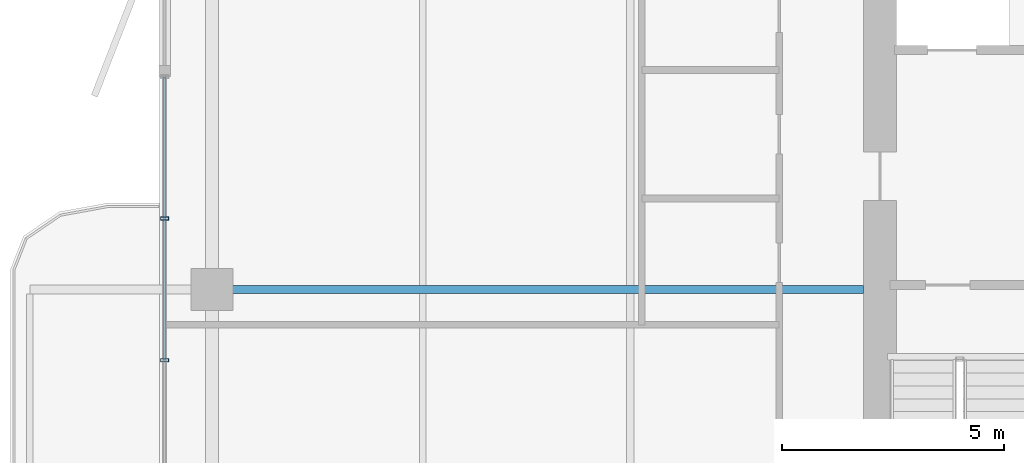
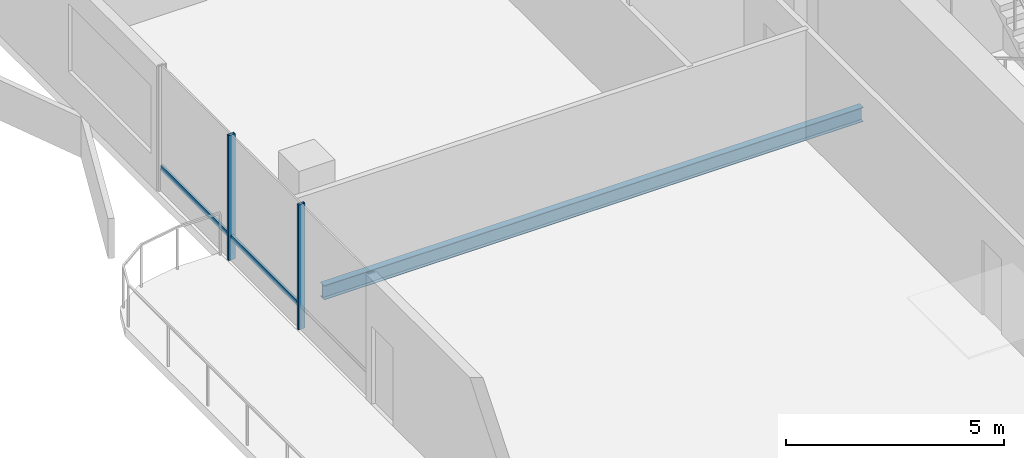
# One storey, part 6 of 24: 4 members, 1 beam, 1 element without a shape of its own.
"""IFC4 building model written with IfcOpenShell, lengths in metres."""

from ifc_helpers import new_model, si_unit, direction, frame, origin, origin_2d, place, context, subcontext, project, spatial, hollow_rectangle, i_section, extrude, material, layer, layer_set, material_profile, profile_set, type_object, element, aggregate, save


model = new_model("IFC4")

# Units and contexts
model_context = context("Model", 3, precision=1e-05, world=origin(), true_north=direction((0.0, 1.0)))
body_context = subcontext(model_context, "Body", "Model", "MODEL_VIEW")
ifc_project = project(units=[si_unit("LENGTHUNIT", "METRE"), si_unit("AREAUNIT", "SQUARE_METRE"), si_unit("VOLUMEUNIT", "CUBIC_METRE"), si_unit("PLANEANGLEUNIT", "RADIAN"), si_unit("MASSUNIT", "GRAM", prefix="KILO")], contexts=[model_context])

# Site, building, storey
site_placement = place(None, origin())
site = spatial("IfcSite", under=ifc_project, at=site_placement, CompositionType="ELEMENT")
building_placement = place(site_placement, origin())
building = spatial("IfcBuilding", under=site, at=building_placement, Name="Belovzor Exchange Tower", CompositionType="ELEMENT")
storey_placement = place(building_placement, frame((0.0, 0.0, 261.60009765625)))
storey = spatial("IfcBuildingStorey", under=building, at=storey_placement, Name="L65", CompositionType="ELEMENT", Elevation=261.60009765625)

# Curtain wall, members
ifc_material_1 = material(Name="Anodised Aluminium Framing", Category="aluminium")
ifc_layer = layer(ifc_material_1, 0.179931640625)
ifc_layer_set = layer_set([ifc_layer], Name="Anodised Aluminium Framing")
curtain_wall_type = type_object("IfcCurtainWallType", Name="Recessed Loggia Low-Iron Triple-Glazed Curtain Wall", PredefinedType="NOTDEFINED", material=ifc_layer_set)
curtain_wall_placement = place(storey_placement, origin())
curtain_wall = element("IfcCurtainWall", 1, at=curtain_wall_placement, inside=storey, type_object=curtain_wall_type, Name="CW3 Recessed Loggia Low-Iron Triple-Glazed Curtain Wall L65", PredefinedType="NOTDEFINED")
ifc_material_2 = material(Name="Steel S355", Category="steel")
ifc_material_profile_1 = material_profile(ifc_material_2, hollow_rectangle(XDim=0.074951171875, YDim=0.179931640625, WallThickness=0.0048828125, at=origin_2d()))
ifc_profile_set_1 = profile_set([ifc_material_profile_1], Name="Steel S355")
member_type_1 = type_object("IfcMemberType", Name="Thermally Broken Curtain Wall Mullion 180x75", PredefinedType="MULLION", material=ifc_profile_set_1)
member_1_placement = place(storey_placement, frame((4.030029296875, 27.199951171875, 0.0), z_axis=(0.0, 0.0, 1.0), x_axis=(0.0, 1.0, 0.0)))
member_1 = element("IfcMember", 2, at=member_1_placement, type_object=member_type_1, Name="CW-M180 Curtain Wall Mullion 2", PredefinedType="MULLION", context=body_context, shape_type="SweptSolid", body=[
    extrude(hollow_rectangle(XDim=0.074951171875, YDim=0.179931640625, WallThickness=0.0048828125, at=origin_2d()), origin(), (0.0, 0.0, 1.0), 3.5),
])
member_2_placement = place(storey_placement, frame((4.030029296875, 30.39990234375, 0.0), z_axis=(0.0, 0.0, 1.0), x_axis=(0.0, 1.0, 0.0)))
member_2 = element("IfcMember", 3, at=member_2_placement, type_object=member_type_1, Name="CW-M180 Curtain Wall Mullion 3", PredefinedType="MULLION", context=body_context, shape_type="SweptSolid", body=[
    extrude(hollow_rectangle(XDim=0.074951171875, YDim=0.179931640625, WallThickness=0.0048828125, at=origin_2d()), origin(), (0.0, 0.0, 1.0), 3.5),
])
ifc_material_3 = material(Name="Steel S355", Category="steel")
ifc_material_profile_2 = material_profile(ifc_material_3, hollow_rectangle(XDim=0.06005859375, YDim=0.14990234375, WallThickness=0.00390625, at=origin_2d()))
ifc_profile_set_2 = profile_set([ifc_material_profile_2], Name="Steel S355")
member_type_2 = type_object("IfcMemberType", Name="Thermally Broken Curtain Wall Transom 150x60", PredefinedType="USERDEFINED", material=ifc_profile_set_2)
member_3_placement = place(storey_placement, frame((4.030029296875, 27.2080078125, 0.6298828125), z_axis=(0.0, 1.0, 0.0), x_axis=(-1.0, 0.0, 0.0)))
member_3 = element("IfcMember", 4, at=member_3_placement, type_object=member_type_2, Name="CW-T150 Curtain Wall Transom 2", ObjectType="TRANSOM", PredefinedType="USERDEFINED", context=body_context, shape_type="SweptSolid", body=[
    extrude(hollow_rectangle(XDim=0.06005859375, YDim=0.14990234375, WallThickness=0.00390625, at=origin_2d()), origin(), (0.0, 0.0, 1.0), 3.18408203125),
])
member_4_placement = place(storey_placement, frame((4.030029296875, 30.407958984375, 0.6298828125), z_axis=(0.0, 1.0, 0.0), x_axis=(-1.0, 0.0, 0.0)))
member_4 = element("IfcMember", 5, at=member_4_placement, type_object=member_type_2, Name="CW-T150 Curtain Wall Transom 3", ObjectType="TRANSOM", PredefinedType="USERDEFINED", context=body_context, shape_type="SweptSolid", body=[
    extrude(hollow_rectangle(XDim=0.06005859375, YDim=0.14990234375, WallThickness=0.00390625, at=origin_2d()), origin(), (0.0, 0.0, 1.0), 3.18408203125),
])
aggregate(curtain_wall, [member_1, member_2, member_3, member_4])

# Beam
ifc_material_4 = material(Name="Steel S355", Category="steel")
ifc_material_profile_3 = material_profile(ifc_material_4, i_section(OverallWidth=0.179931640625, OverallDepth=0.39990234375, WebThickness=0.008544921875, FlangeThickness=0.013427734375, at=origin_2d()))
ifc_profile_set_3 = profile_set([ifc_material_profile_3], Name="Steel S355")
beam_type = type_object("IfcBeamType", Name="Zone 5-6 Radial Composite Floor Beam IPE 400", PredefinedType="BEAM", material=ifc_profile_set_3)
beam_placement = place(storey_placement, frame((19.800048828125, 28.800048828125, -0.4501953125), z_axis=(-1.0, 0.0, 0.0), x_axis=(0.0, -1.0, 0.0)))
element("IfcBeam", 6, at=beam_placement, inside=storey, type_object=beam_type, Name="FB-400 Zone 5-6 Radial Composite Floor Beam IPE 400", PredefinedType="BEAM", context=body_context, shape_type="SweptSolid", body=[
    extrude(i_section(OverallWidth=0.179931640625, OverallDepth=0.39990234375, WebThickness=0.008544921875, FlangeThickness=0.013427734375, at=origin_2d()), origin(), (0.0, 0.0, 1.0), 14.281982421875),
])

save(model, "model.ifc")
